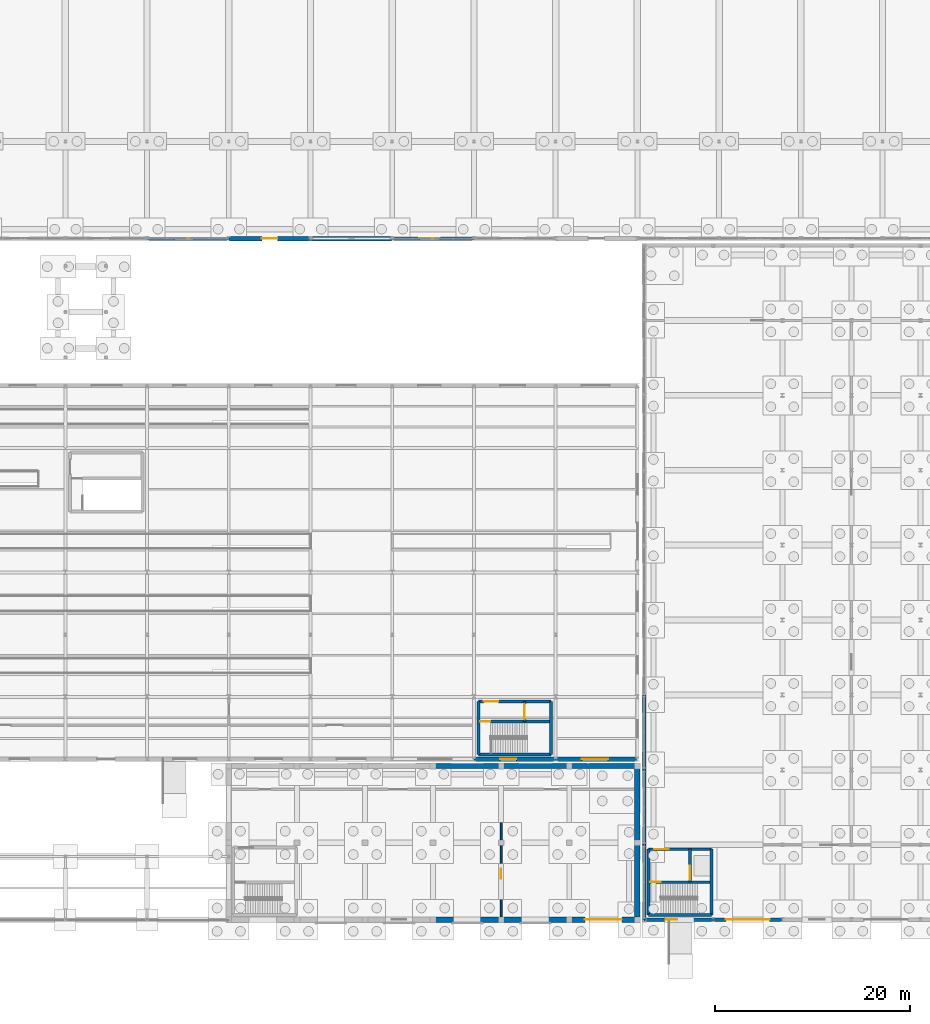
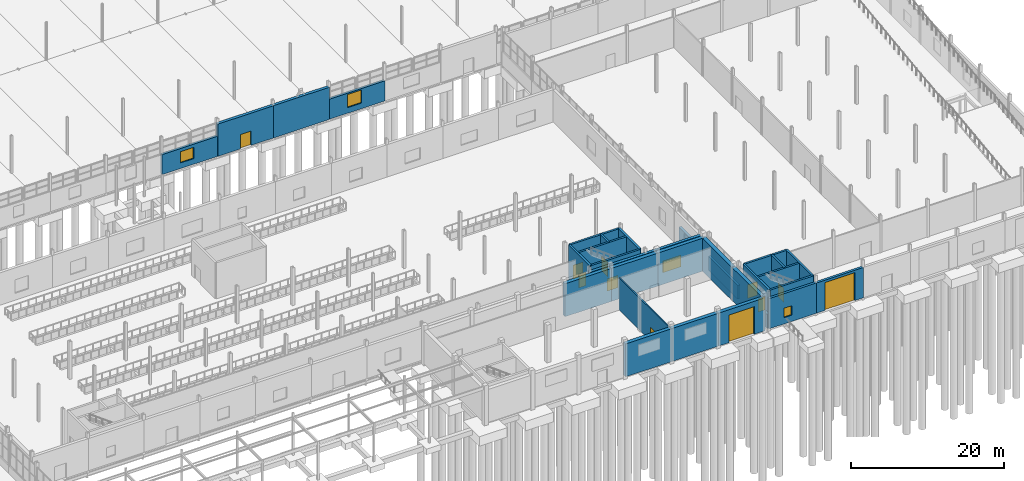
# One storey, part 126 of 139: 32 walls, 10 doors, 5 windows, 15 openings.
"""IFC4 building model written with IfcOpenShell, lengths in metres."""

from ifc_helpers import new_model, si_unit, direction, frame, frame_2d, origin, place, context, subcontext, project, spatial, rectangle, extrude, material, layer, layer_set, type_object, element, fill, save


model = new_model("IFC4")

# Units and contexts
model_context = context("Model", 3, precision=1e-05, world=origin(), true_north=direction((0.0, 1.0)))
body_context = subcontext(model_context, "Body", "Model", "MODEL_VIEW")
ifc_project = project(units=[si_unit("LENGTHUNIT", "METRE"), si_unit("AREAUNIT", "SQUARE_METRE"), si_unit("VOLUMEUNIT", "CUBIC_METRE"), si_unit("PLANEANGLEUNIT", "RADIAN"), si_unit("MASSUNIT", "GRAM", prefix="KILO")], contexts=[model_context])

# Site, building, storey
site_placement = place(None, origin())
site = spatial("IfcSite", under=ifc_project, at=site_placement, CompositionType="ELEMENT")
building_placement = place(site_placement, origin())
building = spatial("IfcBuilding", under=site, at=building_placement, Name="Kazenagashi Tramway Depot", CompositionType="ELEMENT")
storey_placement = place(building_placement, origin())
storey = spatial("IfcBuildingStorey", under=building, at=storey_placement, Name="L01", CompositionType="ELEMENT", Elevation=0.0)

# Wall, opening, door
ifc_material_1 = material(Name="Clay Brick Masonry JIS R 1250 Class 1 (20 MPa)", Category="masonry")
ifc_layer_1 = layer(ifc_material_1, 0.43)
ifc_layer_set_1 = layer_set([ifc_layer_1], Name="Clay Brick Masonry JIS R 1250 Class 1 (20 MPa)")
wall_type_1 = type_object("IfcWallType", Name="W-BK1", PredefinedType="SOLIDWALL", material=ifc_layer_set_1)
wall_1_placement = place(storey_placement, frame((103.6, 70.0, 0.0), z_axis=(0.0, 0.0, 1.0), x_axis=(1.0, 0.0, 0.0)))
wall_1 = element("IfcWall", 1, at=wall_1_placement, inside=storey, type_object=wall_type_1, Name="Exterior Brick Wall W-BK1 EWALL-0016", PredefinedType="SOLIDWALL", context=body_context, shape_type="SweptSolid", body=[
    extrude(rectangle(XDim=8.4, YDim=0.43, at=frame_2d((4.2, 0.0))), origin(), (0.0, 0.0, 1.0), 5.14),
])
opening_1_placement = place(wall_1_placement, frame((3.4, 0.0, 0.0)))
opening_1 = element("IfcOpeningElement", 2, at=opening_1_placement, cuts=wall_1, Name="Opening D-002", PredefinedType="OPENING", context=body_context, shape_type="SweptSolid", body=[
    extrude(rectangle(XDim=1.6, YDim=2.3, at=frame_2d((0.8, 1.15))), frame((0.0, 0.225, 0.0), z_axis=(0.0, -1.0, 0.0), x_axis=(1.0, 0.0, 0.0)), (0.0, 0.0, 1.0), 0.45),
])
ifc_material_2 = material(Name="Anodised Aluminium and Laminated Glass", Category="aluminium")
door_type_1 = type_object("IfcDoorType", Name="DT-02", OperationType="NOTDEFINED", PredefinedType="DOOR", material=ifc_material_2)
door_1_placement = place(opening_1_placement, frame((1.6, 0.0, 0.0), z_axis=(0.0, 0.0, 1.0), x_axis=(-1.0, 0.0, 0.0)))
door_1 = element("IfcDoor", 3, at=door_1_placement, inside=storey, type_object=door_type_1, Name="Stabling Shed Pedestrian Final Exit Door D-002", OperationType="DOUBLE_DOOR_SINGLE_SWING", OverallHeight=2.3, OverallWidth=1.6, PredefinedType="DOOR", context=body_context, shape_type="SweptSolid", body=[
    extrude(rectangle(XDim=1.6, YDim=2.3, at=frame_2d((0.8, 1.15))), frame((0.0, 0.025, 0.0), z_axis=(0.0, -1.0, 0.0), x_axis=(1.0, 0.0, 0.0)), (0.0, 0.0, 1.0), 0.05),
])
fill(opening_1, door_1)

# Wall
wall_2_placement = place(storey_placement, frame((112.0, 70.0, 0.0), z_axis=(0.0, 0.0, 1.0), x_axis=(1.0, 0.0, 0.0)))
element("IfcWall", 4, at=wall_2_placement, inside=storey, type_object=wall_type_1, Name="Exterior Brick Wall W-BK1 EWALL-0017", PredefinedType="SOLIDWALL", context=body_context, shape_type="SweptSolid", body=[
    extrude(rectangle(XDim=8.4, YDim=0.43, at=frame_2d((4.2, 0.0))), origin(), (0.0, 0.0, 1.0), 5.14),
])

# Wall, opening, window
wall_3_placement = place(storey_placement, frame((128.8, 16.5, 0.0), z_axis=(0.0, 0.0, 1.0), x_axis=(1.0, 0.0, 0.0)))
wall_3 = element("IfcWall", 5, at=wall_3_placement, inside=storey, type_object=wall_type_1, Name="Exterior Brick Wall W-BK1 EWALL-0097", PredefinedType="SOLIDWALL", context=body_context, shape_type="SweptSolid", body=[
    extrude(rectangle(XDim=8.4, YDim=0.43, at=frame_2d((4.2, 0.0))), origin(), (0.0, 0.0, 1.0), 5.14),
])
opening_2_placement = place(wall_3_placement, frame((2.7, 0.0, 1.1)))
opening_2 = element("IfcOpeningElement", 6, at=opening_2_placement, cuts=wall_3, Name="Opening WN-18", PredefinedType="OPENING", context=body_context, shape_type="SweptSolid", body=[
    extrude(rectangle(XDim=1.65, YDim=1.95, at=frame_2d((0.825, 0.975))), frame((0.0, 0.225, 0.0), z_axis=(0.0, -1.0, 0.0), x_axis=(1.0, 0.0, 0.0)), (0.0, 0.0, 1.0), 0.45),
])
ifc_material_3 = material(Name="Anodised Aluminium and Tempered Low-E Glass", Category="aluminium")
window_type_1 = type_object("IfcWindowType", Name="WN-18", PartitioningType="SINGLE_PANEL", PredefinedType="WINDOW", material=ifc_material_3)
window_1_placement = place(opening_2_placement, origin())
window_1 = element("IfcWindow", 7, at=window_1_placement, inside=storey, type_object=window_type_1, Name="Window WN-18 WIN-0066", OverallHeight=1.95, OverallWidth=1.65, PartitioningType="SINGLE_PANEL", PredefinedType="WINDOW", context=body_context, shape_type="SweptSolid", body=[
    extrude(rectangle(XDim=1.65, YDim=1.95, at=frame_2d((0.825, 0.975))), frame((0.0, 0.03, 0.0), z_axis=(0.0, -1.0, 0.0), x_axis=(1.0, 0.0, 0.0)), (0.0, 0.0, 1.0), 0.06),
])
fill(opening_2, window_1)

wall_4_placement = place(storey_placement, frame((137.2, 16.5, 0.0), z_axis=(0.0, 0.0, 1.0), x_axis=(1.0, 0.0, 0.0)))
wall_4 = element("IfcWall", 8, at=wall_4_placement, inside=storey, type_object=wall_type_1, Name="Exterior Brick Wall W-BK1 EWALL-0099", PredefinedType="SOLIDWALL", context=body_context, shape_type="SweptSolid", body=[
    extrude(rectangle(XDim=8.4, YDim=0.43, at=frame_2d((4.2, 0.0))), origin(), (0.0, 0.0, 1.0), 5.14),
])
opening_3_placement = place(wall_4_placement, frame((2.7, 0.0, 1.1)))
opening_3 = element("IfcOpeningElement", 9, at=opening_3_placement, cuts=wall_4, Name="Opening WN-20", PredefinedType="OPENING", context=body_context, shape_type="SweptSolid", body=[
    extrude(rectangle(XDim=2.7, YDim=1.85, at=frame_2d((1.35, 0.925))), frame((0.0, 0.225, 0.0), z_axis=(0.0, -1.0, 0.0), x_axis=(1.0, 0.0, 0.0)), (0.0, 0.0, 1.0), 0.45),
])
window_type_2 = type_object("IfcWindowType", Name="WN-20", PartitioningType="SINGLE_PANEL", PredefinedType="WINDOW", material=ifc_material_3)
window_2_placement = place(opening_3_placement, origin())
window_2 = element("IfcWindow", 10, at=window_2_placement, inside=storey, type_object=window_type_2, Name="Window WN-20 WIN-0068", OverallHeight=1.85, OverallWidth=2.7, PartitioningType="SINGLE_PANEL", PredefinedType="WINDOW", context=body_context, shape_type="SweptSolid", body=[
    extrude(rectangle(XDim=2.7, YDim=1.85, at=frame_2d((1.35, 0.925))), frame((0.0, 0.03, 0.0), z_axis=(0.0, -1.0, 0.0), x_axis=(1.0, 0.0, 0.0)), (0.0, 0.0, 1.0), 0.06),
])
fill(opening_3, window_2)

ifc_layer_2 = layer(ifc_material_1, 0.36)
ifc_layer_set_2 = layer_set([ifc_layer_2], Name="Clay Brick Masonry JIS R 1250 Class 1 (20 MPa)")
wall_type_2 = type_object("IfcWallType", Name="W-BK2", PredefinedType="SOLIDWALL", material=ifc_layer_set_2)
wall_5_placement = place(storey_placement, frame((95.2, 70.0, 0.0), z_axis=(0.0, 0.0, 1.0), x_axis=(1.0, 0.0, 0.0)))
wall_5 = element("IfcWall", 11, at=wall_5_placement, inside=storey, type_object=wall_type_2, Name="Exterior Brick Wall W-BK2 EWALL-0015", PredefinedType="SOLIDWALL", context=body_context, shape_type="SweptSolid", body=[
    extrude(rectangle(XDim=8.4, YDim=0.36, at=frame_2d((4.2, 0.0))), origin(), (0.0, 0.0, 1.0), 3.2),
])
opening_4_placement = place(wall_5_placement, frame((2.8, 0.0, 0.9)))
opening_4 = element("IfcOpeningElement", 12, at=opening_4_placement, cuts=wall_5, Name="Opening WN-07", PredefinedType="OPENING", context=body_context, shape_type="SweptSolid", body=[
    extrude(rectangle(XDim=2.0, YDim=1.8, at=frame_2d((1.0, 0.9))), frame((0.0, 0.19, 0.0), z_axis=(0.0, -1.0, 0.0), x_axis=(1.0, 0.0, 0.0)), (0.0, 0.0, 1.0), 0.38),
])
window_type_3 = type_object("IfcWindowType", Name="WN-07", PartitioningType="SINGLE_PANEL", PredefinedType="WINDOW", material=ifc_material_3)
window_3_placement = place(opening_4_placement, origin())
window_3 = element("IfcWindow", 13, at=window_3_placement, inside=storey, type_object=window_type_3, Name="Window WN-07 WIN-0007", OverallHeight=1.8, OverallWidth=2.0, PartitioningType="SINGLE_PANEL", PredefinedType="WINDOW", context=body_context, shape_type="SweptSolid", body=[
    extrude(rectangle(XDim=2.0, YDim=1.8, at=frame_2d((1.0, 0.9))), frame((0.0, 0.03, 0.0), z_axis=(0.0, -1.0, 0.0), x_axis=(1.0, 0.0, 0.0)), (0.0, 0.0, 1.0), 0.06),
])
fill(opening_4, window_3)

wall_6_placement = place(storey_placement, frame((120.4, 70.0, 0.0), z_axis=(0.0, 0.0, 1.0), x_axis=(1.0, 0.0, 0.0)))
wall_6 = element("IfcWall", 14, at=wall_6_placement, inside=storey, type_object=wall_type_2, Name="Exterior Brick Wall W-BK2 EWALL-0019", PredefinedType="SOLIDWALL", context=body_context, shape_type="SweptSolid", body=[
    extrude(rectangle(XDim=8.4, YDim=0.36, at=frame_2d((4.2, 0.0))), origin(), (0.0, 0.0, 1.0), 3.2),
])
opening_5_placement = place(wall_6_placement, frame((2.8, 0.0, 0.9)))
opening_5 = element("IfcOpeningElement", 15, at=opening_5_placement, cuts=wall_6, Name="Opening WN-08", PredefinedType="OPENING", context=body_context, shape_type="SweptSolid", body=[
    extrude(rectangle(XDim=2.1, YDim=2.1, at=frame_2d((1.05, 1.05))), frame((0.0, 0.19, 0.0), z_axis=(0.0, -1.0, 0.0), x_axis=(1.0, 0.0, 0.0)), (0.0, 0.0, 1.0), 0.38),
])
window_type_4 = type_object("IfcWindowType", Name="WN-08", PartitioningType="SINGLE_PANEL", PredefinedType="WINDOW", material=ifc_material_3)
window_4_placement = place(opening_5_placement, origin())
window_4 = element("IfcWindow", 16, at=window_4_placement, inside=storey, type_object=window_type_4, Name="Window WN-08 WIN-0008", OverallHeight=2.1, OverallWidth=2.1, PartitioningType="SINGLE_PANEL", PredefinedType="WINDOW", context=body_context, shape_type="SweptSolid", body=[
    extrude(rectangle(XDim=2.1, YDim=2.1, at=frame_2d((1.05, 1.05))), frame((0.0, 0.03, 0.0), z_axis=(0.0, -1.0, 0.0), x_axis=(1.0, 0.0, 0.0)), (0.0, 0.0, 1.0), 0.06),
])
fill(opening_5, window_4)

wall_7_placement = place(storey_placement, frame((146.3, 0.0, 0.0), z_axis=(0.0, 0.0, 1.0), x_axis=(1.0, 0.0, 0.0)))
wall_7 = element("IfcWall", 17, at=wall_7_placement, inside=storey, type_object=wall_type_2, Name="Exterior Brick Wall W-BK2 EWALL-0155", PredefinedType="SOLIDWALL", context=body_context, shape_type="SweptSolid", body=[
    extrude(rectangle(XDim=7.1, YDim=0.36, at=frame_2d((3.55, 0.0))), origin(), (0.0, 0.0, 1.0), 4.82),
])
opening_6_placement = place(wall_7_placement, frame((2.2, 0.0, 1.0)))
opening_6 = element("IfcOpeningElement", 18, at=opening_6_placement, cuts=wall_7, Name="Opening WN-01", PredefinedType="OPENING", context=body_context, shape_type="SweptSolid", body=[
    extrude(rectangle(XDim=1.2, YDim=1.5, at=frame_2d((0.6, 0.75))), frame((0.0, 0.19, 0.0), z_axis=(0.0, -1.0, 0.0), x_axis=(1.0, 0.0, 0.0)), (0.0, 0.0, 1.0), 0.38),
])
window_type_5 = type_object("IfcWindowType", Name="WN-01", PartitioningType="SINGLE_PANEL", PredefinedType="WINDOW", material=ifc_material_3)
window_5_placement = place(opening_6_placement, origin())
window_5 = element("IfcWindow", 19, at=window_5_placement, inside=storey, type_object=window_type_5, Name="Window WN-01 WIN-0154", OverallHeight=1.5, OverallWidth=1.2, PartitioningType="SINGLE_PANEL", PredefinedType="WINDOW", context=body_context, shape_type="SweptSolid", body=[
    extrude(rectangle(XDim=1.2, YDim=1.5, at=frame_2d((0.6, 0.75))), frame((0.0, 0.03, 0.0), z_axis=(0.0, -1.0, 0.0), x_axis=(1.0, 0.0, 0.0)), (0.0, 0.0, 1.0), 0.06),
])
fill(opening_6, window_5)

# Wall, opening, door
wall_8_placement = place(storey_placement, frame((153.4, 0.0, 0.0), z_axis=(0.0, 0.0, 1.0), x_axis=(1.0, 0.0, 0.0)))
wall_8 = element("IfcWall", 20, at=wall_8_placement, inside=storey, type_object=wall_type_2, Name="Exterior Brick Wall W-BK2 EWALL-0156", PredefinedType="SOLIDWALL", context=body_context, shape_type="SweptSolid", body=[
    extrude(rectangle(XDim=7.1, YDim=0.36, at=frame_2d((3.55, 0.0))), origin(), (0.0, 0.0, 1.0), 4.82),
])
opening_7_placement = place(wall_8_placement, frame((1.3, 0.0, 0.0)))
opening_7 = element("IfcOpeningElement", 21, at=opening_7_placement, cuts=wall_8, Name="Opening RS-18", PredefinedType="OPENING", context=body_context, shape_type="SweptSolid", body=[
    extrude(rectangle(XDim=4.5, YDim=4.45, at=frame_2d((2.25, 2.225))), frame((0.0, 0.19, 0.0), z_axis=(0.0, -1.0, 0.0), x_axis=(1.0, 0.0, 0.0)), (0.0, 0.0, 1.0), 0.38),
])
ifc_material_4 = material(Name="Galvanised Insulated Steel Slats", Category="steel")
door_type_2 = type_object("IfcDoorType", Name="DT-24", OperationType="NOTDEFINED", PredefinedType="DOOR", material=ifc_material_4)
door_2_placement = place(opening_7_placement, frame((4.5, 0.0, 0.0), z_axis=(0.0, 0.0, 1.0), x_axis=(-1.0, 0.0, 0.0)))
door_2 = element("IfcDoor", 22, at=door_2_placement, inside=storey, type_object=door_type_2, Name="Motorised Vehicle Roller Shutter RS-18", OperationType="ROLLINGUP", OverallHeight=4.45, OverallWidth=4.5, PredefinedType="DOOR", context=body_context, shape_type="SweptSolid", body=[
    extrude(rectangle(XDim=4.5, YDim=4.45, at=frame_2d((2.25, 2.225))), frame((0.0, 0.025, 0.0), z_axis=(0.0, -1.0, 0.0), x_axis=(1.0, 0.0, 0.0)), (0.0, 0.0, 1.0), 0.05),
])
fill(opening_7, door_2)

# Walls
for number, where, z_axis, x_axis, name in (
    (23, (146.3, 0.0, 0.0), (0.0, 0.0, 1.0), (0.0, 1.0, 0.0), "Exterior Brick Wall W-BK2 EWALL-0297"),
    (24, (146.3, 7.7, 0.0), (0.0, 0.0, 1.0), (0.0, 1.0, 0.0), "Exterior Brick Wall W-BK2 EWALL-0298"),
    (25, (146.3, 15.4, 0.0), (0.0, 0.0, 1.0), (0.0, 1.0, 0.0), "Exterior Brick Wall W-BK2 EWALL-0299"),
):
    element("IfcWall", number, at=place(storey_placement, frame(where, z_axis=z_axis, x_axis=x_axis)), inside=storey, type_object=wall_type_2, Name=name, PredefinedType="SOLIDWALL", context=body_context, shape_type="SweptSolid", body=[
        extrude(rectangle(XDim=7.7, YDim=0.36, at=frame_2d((3.85, 0.0))), origin(), (0.0, 0.0, 1.0), 2.2),
    ])
ifc_material_5 = material(Name="Clinker Brick Masonry JIS R 1250 Class 1 (24 MPa)", Category="masonry")
ifc_layer_3 = layer(ifc_material_5, 0.54)
ifc_layer_set_3 = layer_set([ifc_layer_3], Name="Clinker Brick Masonry JIS R 1250 Class 1 (24 MPa)")
wall_type_3 = type_object("IfcWallType", Name="W-BK4", PredefinedType="SOLIDWALL", material=ifc_layer_set_3)
for number, where, z_axis, x_axis, name in (
    (26, (124.6, 0.0, 0.0), (0.0, 0.0, 1.0), (1.0, 0.0, 0.0), "Exterior Brick Wall W-BK4 EWALL-0283"),
    (27, (131.6, 0.0, 0.0), (0.0, 0.0, 1.0), (1.0, 0.0, 0.0), "Exterior Brick Wall W-BK4 EWALL-0285"),
):
    element("IfcWall", number, at=place(storey_placement, frame(where, z_axis=z_axis, x_axis=x_axis)), inside=storey, type_object=wall_type_3, Name=name, PredefinedType="SOLIDWALL", context=body_context, shape_type="SweptSolid", body=[
        extrude(rectangle(XDim=7.0, YDim=0.54, at=frame_2d((3.5, 0.0))), origin(), (0.0, 0.0, 1.0), 5.25),
    ])

# Wall, opening, door
wall_9_placement = place(storey_placement, frame((138.6, 0.0, 0.0), z_axis=(0.0, 0.0, 1.0), x_axis=(1.0, 0.0, 0.0)))
wall_9 = element("IfcWall", 28, at=wall_9_placement, inside=storey, type_object=wall_type_3, Name="Exterior Brick Wall W-BK4 EWALL-0287", PredefinedType="SOLIDWALL", context=body_context, shape_type="SweptSolid", body=[
    extrude(rectangle(XDim=7.0, YDim=0.54, at=frame_2d((3.5, 0.0))), origin(), (0.0, 0.0, 1.0), 5.25),
])
opening_8_placement = place(wall_9_placement, frame((1.6, 0.0, 0.0)))
opening_8 = element("IfcOpeningElement", 29, at=opening_8_placement, cuts=wall_9, Name="Opening RS-21", PredefinedType="OPENING", context=body_context, shape_type="SweptSolid", body=[
    extrude(rectangle(XDim=3.8, YDim=4.4, at=frame_2d((1.9, 2.2))), frame((0.0, 0.28, 0.0), z_axis=(0.0, -1.0, 0.0), x_axis=(1.0, 0.0, 0.0)), (0.0, 0.0, 1.0), 0.56),
])
door_type_3 = type_object("IfcDoorType", Name="DT-27", OperationType="NOTDEFINED", PredefinedType="DOOR", material=ifc_material_4)
door_3_placement = place(opening_8_placement, frame((3.8, 0.0, 0.0), z_axis=(0.0, 0.0, 1.0), x_axis=(-1.0, 0.0, 0.0)))
door_3 = element("IfcDoor", 30, at=door_3_placement, inside=storey, type_object=door_type_3, Name="Motorised Vehicle Roller Shutter RS-21", OperationType="ROLLINGUP", OverallHeight=4.4, OverallWidth=3.8, PredefinedType="DOOR", context=body_context, shape_type="SweptSolid", body=[
    extrude(rectangle(XDim=3.8, YDim=4.4, at=frame_2d((1.9, 2.2))), frame((0.0, 0.025, 0.0), z_axis=(0.0, -1.0, 0.0), x_axis=(1.0, 0.0, 0.0)), (0.0, 0.0, 1.0), 0.05),
])
fill(opening_8, door_3)

# Walls
for number, where, z_axis, x_axis, name in (
    (31, (145.6, 0.0, 0.0), (0.0, 0.0, 1.0), (0.0, 1.0, 0.0), "Exterior Brick Wall W-BK4 EWALL-0293"),
    (32, (145.6, 7.9, 0.0), (0.0, 0.0, 1.0), (0.0, 1.0, 0.0), "Exterior Brick Wall W-BK4 EWALL-0295"),
):
    element("IfcWall", number, at=place(storey_placement, frame(where, z_axis=z_axis, x_axis=x_axis)), inside=storey, type_object=wall_type_3, Name=name, PredefinedType="SOLIDWALL", context=body_context, shape_type="SweptSolid", body=[
        extrude(rectangle(XDim=7.9, YDim=0.54, at=frame_2d((3.95, 0.0))), origin(), (0.0, 0.0, 1.0), 5.25),
    ])
for number, where, z_axis, x_axis, name in (
    (33, (124.6, 15.8, 0.0), (0.0, 0.0, 1.0), (1.0, 0.0, 0.0), "Exterior Brick Wall W-BK4 EWALL-0311"),
    (34, (131.6, 15.8, 0.0), (0.0, 0.0, 1.0), (1.0, 0.0, 0.0), "Exterior Brick Wall W-BK4 EWALL-0312"),
    (35, (138.6, 15.8, 0.0), (0.0, 0.0, 1.0), (1.0, 0.0, 0.0), "Exterior Brick Wall W-BK4 EWALL-0313"),
):
    element("IfcWall", number, at=place(storey_placement, frame(where, z_axis=z_axis, x_axis=x_axis)), inside=storey, type_object=wall_type_3, Name=name, PredefinedType="SOLIDWALL", context=body_context, shape_type="SweptSolid", body=[
        extrude(rectangle(XDim=7.0, YDim=0.54, at=frame_2d((3.5, 0.0))), origin(), (0.0, 0.0, 1.0), 5.25),
    ])

# Wall, opening, door
ifc_material_6 = material(Name="Gypsum Plasterboard Partition", Category="gypsum")
ifc_layer_4 = layer(ifc_material_6, 0.18)
ifc_layer_set_4 = layer_set([ifc_layer_4], Name="Gypsum Plasterboard Partition")
wall_type_4 = type_object("IfcWallType", Name="W-PT4", PredefinedType="PARTITIONING", material=ifc_layer_set_4)
wall_10_placement = place(storey_placement, frame((131.6, 0.0, 0.0), z_axis=(0.0, 0.0, 1.0), x_axis=(0.0, 1.0, 0.0)))
wall_10 = element("IfcWall", 36, at=wall_10_placement, inside=storey, type_object=wall_type_4, Name="Interior Partition W-PT4 IWALL-0260", PredefinedType="PARTITIONING", context=body_context, shape_type="SweptSolid", body=[
    extrude(rectangle(XDim=13.4, YDim=0.18, at=frame_2d((6.7, 0.0))), origin(), (0.0, 0.0, 1.0), 5.1),
])
opening_9_placement = place(wall_10_placement, frame((4.2, 0.0, 0.0)))
opening_9 = element("IfcOpeningElement", 37, at=opening_9_placement, cuts=wall_10, Name="Opening D-164", PredefinedType="OPENING", context=body_context, shape_type="SweptSolid", body=[
    extrude(rectangle(XDim=1.05, YDim=2.15, at=frame_2d((0.525, 1.075))), frame((0.0, 0.1, 0.0), z_axis=(0.0, -1.0, 0.0), x_axis=(1.0, 0.0, 0.0)), (0.0, 0.0, 1.0), 0.2),
])
ifc_material_7 = material(Name="Galvanised Fire-Rated Steel Door", Category="steel")
door_type_4 = type_object("IfcDoorType", Name="DT-07", OperationType="NOTDEFINED", PredefinedType="DOOR", material=ifc_material_7)
door_4_placement = place(opening_9_placement, origin())
door_4 = element("IfcDoor", 38, at=door_4_placement, inside=storey, type_object=door_type_4, Name="Interior Door D-164", OperationType="SINGLE_SWING_LEFT", OverallHeight=2.15, OverallWidth=1.05, PredefinedType="DOOR", context=body_context, shape_type="SweptSolid", body=[
    extrude(rectangle(XDim=1.05, YDim=2.15, at=frame_2d((0.525, 1.075))), frame((0.0, 0.025, 0.0), z_axis=(0.0, -1.0, 0.0), x_axis=(1.0, 0.0, 0.0)), (0.0, 0.0, 1.0), 0.05),
])
fill(opening_9, door_4)

# Wall
ifc_material_8 = material(Name="Concrete Fc36", Category="concrete")
ifc_layer_5 = layer(ifc_material_8, 0.3)
ifc_layer_set_5 = layer_set([ifc_layer_5], Name="Concrete Fc36")
wall_type_5 = type_object("IfcWallType", Name="W-RC1", PredefinedType="SHEAR", material=ifc_layer_set_5)
wall_11_placement = place(storey_placement, frame((129.26, 16.96, 0.0), z_axis=(0.0, 0.0, 1.0), x_axis=(1.0, 0.0, 0.0)))
element("IfcWall", 39, at=wall_11_placement, inside=storey, type_object=wall_type_5, Name="Core Shear Wall W-RC1 IWALL-0153", PredefinedType="SHEAR", context=body_context, shape_type="SweptSolid", body=[
    extrude(rectangle(XDim=7.48, YDim=0.3, at=frame_2d((3.74, 0.0))), origin(), (0.0, 0.0, 1.0), 5.72),
])

# Wall, opening, door
wall_12_placement = place(storey_placement, frame((129.26, 22.44, 0.0), z_axis=(0.0, 0.0, 1.0), x_axis=(1.0, 0.0, 0.0)))
wall_12 = element("IfcWall", 40, at=wall_12_placement, inside=storey, type_object=wall_type_5, Name="Core Shear Wall W-RC1 IWALL-0154", PredefinedType="SHEAR", context=body_context, shape_type="SweptSolid", body=[
    extrude(rectangle(XDim=7.48, YDim=0.3, at=frame_2d((3.74, 0.0))), origin(), (0.0, 0.0, 1.0), 5.72),
])
opening_10_placement = place(wall_12_placement, frame((0.55, 0.0, 0.0)))
opening_10 = element("IfcOpeningElement", 41, at=opening_10_placement, cuts=wall_12, Name="Opening D-101", PredefinedType="OPENING", context=body_context, shape_type="SweptSolid", body=[
    extrude(rectangle(XDim=1.5, YDim=2.2, at=frame_2d((0.75, 1.1))), frame((0.0, 0.16, 0.0), z_axis=(0.0, -1.0, 0.0), x_axis=(1.0, 0.0, 0.0)), (0.0, 0.0, 1.0), 0.32),
])
door_type_5 = type_object("IfcDoorType", Name="DT-05", OperationType="NOTDEFINED", PredefinedType="DOOR", material=ifc_material_7)
door_5_placement = place(opening_10_placement, origin())
door_5 = element("IfcDoor", 42, at=door_5_placement, inside=storey, type_object=door_type_5, Name="Interior Door D-101", OperationType="DOUBLE_DOOR_SINGLE_SWING", OverallHeight=2.2, OverallWidth=1.5, PredefinedType="DOOR", context=body_context, shape_type="SweptSolid", body=[
    extrude(rectangle(XDim=1.5, YDim=2.2, at=frame_2d((0.75, 1.1))), frame((0.0, 0.025, 0.0), z_axis=(0.0, -1.0, 0.0), x_axis=(1.0, 0.0, 0.0)), (0.0, 0.0, 1.0), 0.05),
])
fill(opening_10, door_5)

# Walls
for number, where, z_axis, x_axis, name in (
    (43, (129.26, 16.96, 0.0), (0.0, 0.0, 1.0), (0.0, 1.0, 0.0), "Core Shear Wall W-RC1 IWALL-0155"),
    (44, (136.74, 16.96, 0.0), (0.0, 0.0, 1.0), (0.0, 1.0, 0.0), "Core Shear Wall W-RC1 IWALL-0156"),
):
    element("IfcWall", number, at=place(storey_placement, frame(where, z_axis=z_axis, x_axis=x_axis)), inside=storey, type_object=wall_type_5, Name=name, PredefinedType="SHEAR", context=body_context, shape_type="SweptSolid", body=[
        extrude(rectangle(XDim=5.48, YDim=0.3, at=frame_2d((2.74, 0.0))), origin(), (0.0, 0.0, 1.0), 5.72),
    ])

# Wall, opening, door
wall_13_placement = place(storey_placement, frame((129.26, 20.35, 0.0), z_axis=(0.0, 0.0, 1.0), x_axis=(1.0, 0.0, 0.0)))
wall_13 = element("IfcWall", 45, at=wall_13_placement, inside=storey, type_object=wall_type_5, Name="Core Shear Wall W-RC1 IWALL-0157", PredefinedType="SHEAR", context=body_context, shape_type="SweptSolid", body=[
    extrude(rectangle(XDim=7.48, YDim=0.3, at=frame_2d((3.74, 0.0))), origin(), (0.0, 0.0, 1.0), 5.72),
])
opening_11_placement = place(wall_13_placement, frame((0.185, 0.0, 0.0)))
opening_11 = element("IfcOpeningElement", 46, at=opening_11_placement, cuts=wall_13, Name="Opening D-100", PredefinedType="OPENING", context=body_context, shape_type="SweptSolid", body=[
    extrude(rectangle(XDim=1.05, YDim=2.15, at=frame_2d((0.525, 1.075))), frame((0.0, 0.16, 0.0), z_axis=(0.0, -1.0, 0.0), x_axis=(1.0, 0.0, 0.0)), (0.0, 0.0, 1.0), 0.32),
])
door_6_placement = place(opening_11_placement, origin())
door_6 = element("IfcDoor", 47, at=door_6_placement, inside=storey, type_object=door_type_4, Name="Interior Door D-100", OperationType="SINGLE_SWING_LEFT", OverallHeight=2.15, OverallWidth=1.05, PredefinedType="DOOR", context=body_context, shape_type="SweptSolid", body=[
    extrude(rectangle(XDim=1.05, YDim=2.15, at=frame_2d((0.525, 1.075))), frame((0.0, 0.025, 0.0), z_axis=(0.0, -1.0, 0.0), x_axis=(1.0, 0.0, 0.0)), (0.0, 0.0, 1.0), 0.05),
])
fill(opening_11, door_6)

wall_14_placement = place(storey_placement, frame((133.99, 20.35, 0.0), z_axis=(0.0, 0.0, 1.0), x_axis=(0.0, 1.0, 0.0)))
wall_14 = element("IfcWall", 48, at=wall_14_placement, inside=storey, type_object=wall_type_5, Name="Core Shear Wall W-RC1 IWALL-0158", PredefinedType="SHEAR", context=body_context, shape_type="SweptSolid", body=[
    extrude(rectangle(XDim=2.09, YDim=0.3, at=frame_2d((1.045, 0.0))), origin(), (0.0, 0.0, 1.0), 5.72),
])
opening_12_placement = place(wall_14_placement, frame((0.27, 0.0, 0.0)))
opening_12 = element("IfcOpeningElement", 49, at=opening_12_placement, cuts=wall_14, Name="Opening LD-21", PredefinedType="OPENING", context=body_context, shape_type="SweptSolid", body=[
    extrude(rectangle(XDim=1.55, YDim=2.35, at=frame_2d((0.775, 1.175))), frame((0.0, 0.16, 0.0), z_axis=(0.0, -1.0, 0.0), x_axis=(1.0, 0.0, 0.0)), (0.0, 0.0, 1.0), 0.32),
])
ifc_material_9 = material(Name="Heavy-Duty Freight Lift Landing Door")
door_type_6 = type_object("IfcDoorType", Name="DT-31", OperationType="NOTDEFINED", PredefinedType="DOOR", material=ifc_material_9)
door_7_placement = place(opening_12_placement, origin())
door_7 = element("IfcDoor", 50, at=door_7_placement, inside=storey, type_object=door_type_6, Name="Lift Sliding Landing Door LD-21", OperationType="SLIDING_TO_LEFT", OverallHeight=2.35, OverallWidth=1.55, PredefinedType="DOOR", context=body_context, shape_type="SweptSolid", body=[
    extrude(rectangle(XDim=1.55, YDim=2.35, at=frame_2d((0.775, 1.175))), frame((0.0, 0.025, 0.0), z_axis=(0.0, -1.0, 0.0), x_axis=(1.0, 0.0, 0.0)), (0.0, 0.0, 1.0), 0.05),
])
fill(opening_12, door_7)

# Wall
wall_15_placement = place(storey_placement, frame((146.76, 0.46, -0.35), z_axis=(0.0, 0.0, 1.0), x_axis=(1.0, 0.0, 0.0)))
element("IfcWall", 51, at=wall_15_placement, inside=storey, type_object=wall_type_5, Name="Core Shear Wall W-RC1 IWALL-0181", PredefinedType="SHEAR", context=body_context, shape_type="SweptSolid", body=[
    extrude(rectangle(XDim=6.48, YDim=0.3, at=frame_2d((3.24, 0.0))), origin(), (0.0, 0.0, 1.0), 6.07),
])

# Wall, opening, door
wall_16_placement = place(storey_placement, frame((146.76, 7.24, -0.35), z_axis=(0.0, 0.0, 1.0), x_axis=(1.0, 0.0, 0.0)))
wall_16 = element("IfcWall", 52, at=wall_16_placement, inside=storey, type_object=wall_type_5, Name="Core Shear Wall W-RC1 IWALL-0182", PredefinedType="SHEAR", context=body_context, shape_type="SweptSolid", body=[
    extrude(rectangle(XDim=6.48, YDim=0.3, at=frame_2d((3.24, 0.0))), origin(), (0.0, 0.0, 1.0), 6.07),
])
opening_13_placement = place(wall_16_placement, frame((0.55, 0.0, 0.35)))
opening_13 = element("IfcOpeningElement", 53, at=opening_13_placement, cuts=wall_16, Name="Opening D-111", PredefinedType="OPENING", context=body_context, shape_type="SweptSolid", body=[
    extrude(rectangle(XDim=1.5, YDim=2.2, at=frame_2d((0.75, 1.1))), frame((0.0, 0.16, 0.0), z_axis=(0.0, -1.0, 0.0), x_axis=(1.0, 0.0, 0.0)), (0.0, 0.0, 1.0), 0.32),
])
door_8_placement = place(opening_13_placement, origin())
door_8 = element("IfcDoor", 54, at=door_8_placement, inside=storey, type_object=door_type_5, Name="Interior Door D-111", OperationType="DOUBLE_DOOR_SINGLE_SWING", OverallHeight=2.2, OverallWidth=1.5, PredefinedType="DOOR", context=body_context, shape_type="SweptSolid", body=[
    extrude(rectangle(XDim=1.5, YDim=2.2, at=frame_2d((0.75, 1.1))), frame((0.0, 0.025, 0.0), z_axis=(0.0, -1.0, 0.0), x_axis=(1.0, 0.0, 0.0)), (0.0, 0.0, 1.0), 0.05),
])
fill(opening_13, door_8)

# Walls
for number, where, z_axis, x_axis, name in (
    (55, (146.76, 0.46, -0.35), (0.0, 0.0, 1.0), (0.0, 1.0, 0.0), "Core Shear Wall W-RC1 IWALL-0183"),
    (56, (153.24, 0.46, -0.35), (0.0, 0.0, 1.0), (0.0, 1.0, 0.0), "Core Shear Wall W-RC1 IWALL-0184"),
):
    element("IfcWall", number, at=place(storey_placement, frame(where, z_axis=z_axis, x_axis=x_axis)), inside=storey, type_object=wall_type_5, Name=name, PredefinedType="SHEAR", context=body_context, shape_type="SweptSolid", body=[
        extrude(rectangle(XDim=6.78, YDim=0.3, at=frame_2d((3.39, 0.0))), origin(), (0.0, 0.0, 1.0), 6.07),
    ])

# Wall, opening, door
wall_17_placement = place(storey_placement, frame((146.76, 3.85, -0.35), z_axis=(0.0, 0.0, 1.0), x_axis=(1.0, 0.0, 0.0)))
wall_17 = element("IfcWall", 57, at=wall_17_placement, inside=storey, type_object=wall_type_5, Name="Core Shear Wall W-RC1 IWALL-0185", PredefinedType="SHEAR", context=body_context, shape_type="SweptSolid", body=[
    extrude(rectangle(XDim=6.48, YDim=0.3, at=frame_2d((3.24, 0.0))), origin(), (0.0, 0.0, 1.0), 6.07),
])
opening_14_placement = place(wall_17_placement, frame((0.185, 0.0, 0.35)))
opening_14 = element("IfcOpeningElement", 58, at=opening_14_placement, cuts=wall_17, Name="Opening D-110", PredefinedType="OPENING", context=body_context, shape_type="SweptSolid", body=[
    extrude(rectangle(XDim=1.05, YDim=2.15, at=frame_2d((0.525, 1.075))), frame((0.0, 0.16, 0.0), z_axis=(0.0, -1.0, 0.0), x_axis=(1.0, 0.0, 0.0)), (0.0, 0.0, 1.0), 0.32),
])
door_9_placement = place(opening_14_placement, origin())
door_9 = element("IfcDoor", 59, at=door_9_placement, inside=storey, type_object=door_type_4, Name="Interior Door D-110", OperationType="SINGLE_SWING_LEFT", OverallHeight=2.15, OverallWidth=1.05, PredefinedType="DOOR", context=body_context, shape_type="SweptSolid", body=[
    extrude(rectangle(XDim=1.05, YDim=2.15, at=frame_2d((0.525, 1.075))), frame((0.0, 0.025, 0.0), z_axis=(0.0, -1.0, 0.0), x_axis=(1.0, 0.0, 0.0)), (0.0, 0.0, 1.0), 0.05),
])
fill(opening_14, door_9)

wall_18_placement = place(storey_placement, frame((150.99, 3.85, -0.35), z_axis=(0.0, 0.0, 1.0), x_axis=(0.0, 1.0, 0.0)))
wall_18 = element("IfcWall", 60, at=wall_18_placement, inside=storey, type_object=wall_type_5, Name="Core Shear Wall W-RC1 IWALL-0186", PredefinedType="SHEAR", context=body_context, shape_type="SweptSolid", body=[
    extrude(rectangle(XDim=3.39, YDim=0.3, at=frame_2d((1.695, 0.0))), origin(), (0.0, 0.0, 1.0), 6.07),
])
opening_15_placement = place(wall_18_placement, frame((0.25, 0.0, 0.35)))
opening_15 = element("IfcOpeningElement", 61, at=opening_15_placement, cuts=wall_18, Name="Opening LD-24", PredefinedType="OPENING", context=body_context, shape_type="SweptSolid", body=[
    extrude(rectangle(XDim=1.45, YDim=2.25, at=frame_2d((0.725, 1.125))), frame((0.0, 0.16, 0.0), z_axis=(0.0, -1.0, 0.0), x_axis=(1.0, 0.0, 0.0)), (0.0, 0.0, 1.0), 0.32),
])
ifc_material_10 = material(Name="Brushed Stainless Steel Landing Door", Category="steel")
door_type_7 = type_object("IfcDoorType", Name="DT-32", OperationType="NOTDEFINED", PredefinedType="DOOR", material=ifc_material_10)
door_10_placement = place(opening_15_placement, origin())
door_10 = element("IfcDoor", 62, at=door_10_placement, inside=storey, type_object=door_type_7, Name="Lift Sliding Landing Door LD-24", OperationType="SLIDING_TO_RIGHT", OverallHeight=2.25, OverallWidth=1.45, PredefinedType="DOOR", context=body_context, shape_type="SweptSolid", body=[
    extrude(rectangle(XDim=1.45, YDim=2.25, at=frame_2d((0.725, 1.125))), frame((0.0, 0.025, 0.0), z_axis=(0.0, -1.0, 0.0), x_axis=(1.0, 0.0, 0.0)), (0.0, 0.0, 1.0), 0.05),
])
fill(opening_15, door_10)

save(model, "model.ifc")
